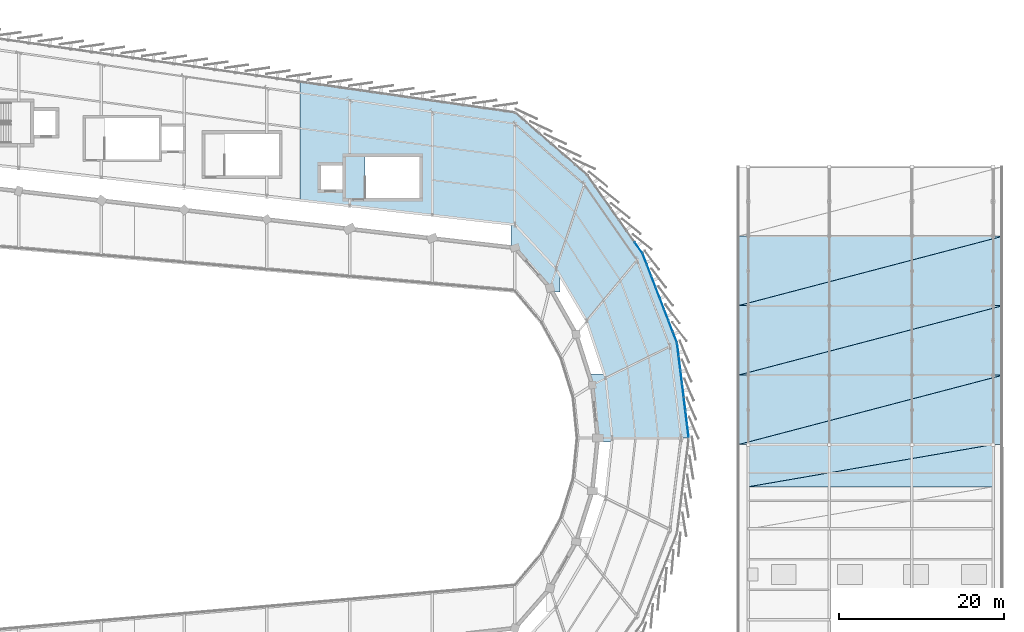
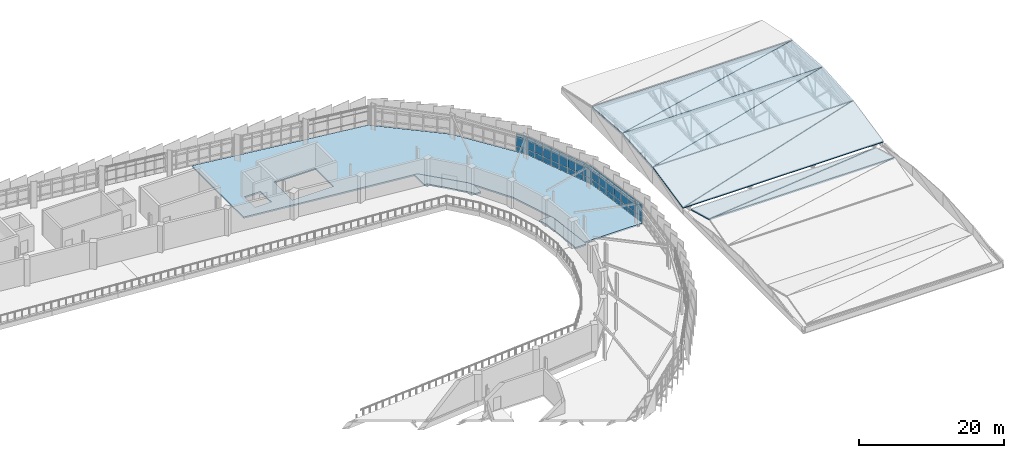
# One storey, part 71 of 87: 48 plates, 11 slabs, 3 elements without a shape of their own.
"""IFC4 building model written with IfcOpenShell, lengths in metres."""

from ifc_helpers import new_model, si_unit, direction, frame, origin, origin_2d, place, context, subcontext, project, spatial, polyline, rectangle, outline, extrude, material, layer, layer_set, type_object, element, aggregate, save


model = new_model("IFC4")

# Units and contexts
model_context = context("Model", 3, precision=1e-05, world=origin(), true_north=direction((0.0, 1.0)))
body_context = subcontext(model_context, "Body", "Model", "MODEL_VIEW")
ifc_project = project(units=[si_unit("LENGTHUNIT", "METRE"), si_unit("AREAUNIT", "SQUARE_METRE"), si_unit("VOLUMEUNIT", "CUBIC_METRE"), si_unit("PLANEANGLEUNIT", "RADIAN"), si_unit("MASSUNIT", "GRAM", prefix="KILO")], contexts=[model_context])

# Site, building, storey
site_placement = place(None, origin())
site = spatial("IfcSite", under=ifc_project, at=site_placement, CompositionType="ELEMENT")
building_placement = place(site_placement, origin())
building = spatial("IfcBuilding", under=site, at=building_placement, Name="Sohan Crest Arena", CompositionType="ELEMENT")
storey_placement = place(building_placement, frame((0.0, 0.0, 18.0)))
storey = spatial("IfcBuildingStorey", under=building, at=storey_placement, Name="L04", CompositionType="ELEMENT", Elevation=18.0)

# Curtain wall, plates
ifc_material_1 = material(Name="Thermally broken anodised aluminium", Category="aluminium")
ifc_layer_1 = layer(ifc_material_1, 0.179931640625, Name="Thermally broken anodised aluminium")
ifc_layer_set_1 = layer_set([ifc_layer_1], Name="Thermally broken anodised aluminium")
curtain_wall_type_1 = type_object("IfcCurtainWallType", Name="ARC-CW01", PredefinedType="NOTDEFINED", material=ifc_layer_set_1)
curtain_wall_1_placement = place(storey_placement, origin())
curtain_wall_1 = element("IfcCurtainWall", 1, at=curtain_wall_1_placement, inside=storey, type_object=curtain_wall_type_1, Name="Unitised curtain wall CW-136", PredefinedType="NOTDEFINED")
ifc_material_2 = material(Name="Low-E double-glazed insulated glass", Category="glass")
ifc_layer_2 = layer(ifc_material_2, 0.028076171875, Name="Low-E double-glazed insulated glass")
ifc_layer_set_2 = layer_set([ifc_layer_2], Name="Low-E double-glazed insulated glass")
plate_type_1 = type_object("IfcPlateType", Name="ARC-CNP01", PredefinedType="CURTAIN_PANEL", material=ifc_layer_set_2)
plate_1_placement = place(storey_placement, frame((187.331298828125, 90.185546875, 0.06005859375), z_axis=(0.0, 0.0, 1.0), x_axis=(-0.359632663337, 0.933093964969, 0.0)))
plate_1 = element("IfcPlate", 2, at=plate_1_placement, type_object=plate_type_1, Name="CW-136 panel 1.1", PredefinedType="CURTAIN_PANEL", context=body_context, shape_type="SweptSolid", body=[
    extrude(rectangle(XDim=1.35791015625, YDim=0.028076171875, at=origin_2d()), origin(), (0.0, 0.0, 1.0), 0.81005859375),
])
plate_2_placement = place(storey_placement, frame((187.331298828125, 90.185546875, 0.929931640625), z_axis=(0.0, 0.0, 1.0), x_axis=(-0.359632663337, 0.933093964969, 0.0)))
plate_2 = element("IfcPlate", 3, at=plate_2_placement, type_object=plate_type_1, Name="CW-136 panel 1.2", PredefinedType="CURTAIN_PANEL", context=body_context, shape_type="SweptSolid", body=[
    extrude(rectangle(XDim=1.35791015625, YDim=0.028076171875, at=origin_2d()), origin(), (0.0, 0.0, 1.0), 1.4599609375),
])
plate_3_placement = place(storey_placement, frame((187.331298828125, 90.185546875, 2.44970703125), z_axis=(0.0, 0.0, 1.0), x_axis=(-0.359632663337, 0.933093964969, 0.0)))
plate_3 = element("IfcPlate", 4, at=plate_3_placement, type_object=plate_type_1, Name="CW-136 panel 1.3", PredefinedType="CURTAIN_PANEL", context=body_context, shape_type="SweptSolid", body=[
    extrude(rectangle(XDim=1.35791015625, YDim=0.028076171875, at=origin_2d()), origin(), (0.0, 0.0, 1.0), 0.610107421875),
])
plate_4_placement = place(storey_placement, frame((186.81591796875, 91.522705078125, 0.06005859375), z_axis=(0.0, 0.0, 1.0), x_axis=(-0.359632663337, 0.933093964969, 0.0)))
plate_4 = element("IfcPlate", 5, at=plate_4_placement, type_object=plate_type_1, Name="CW-136 panel 2.1", PredefinedType="CURTAIN_PANEL", context=body_context, shape_type="SweptSolid", body=[
    extrude(rectangle(XDim=1.387939453125, YDim=0.028076171875, at=origin_2d()), origin(), (0.0, 0.0, 1.0), 0.81005859375),
])
plate_5_placement = place(storey_placement, frame((186.81591796875, 91.522705078125, 0.929931640625), z_axis=(0.0, 0.0, 1.0), x_axis=(-0.359632663337, 0.933093964969, 0.0)))
plate_5 = element("IfcPlate", 6, at=plate_5_placement, type_object=plate_type_1, Name="CW-136 panel 2.2", PredefinedType="CURTAIN_PANEL", context=body_context, shape_type="SweptSolid", body=[
    extrude(rectangle(XDim=1.387939453125, YDim=0.028076171875, at=origin_2d()), origin(), (0.0, 0.0, 1.0), 1.4599609375),
])
plate_6_placement = place(storey_placement, frame((186.81591796875, 91.522705078125, 2.44970703125), z_axis=(0.0, 0.0, 1.0), x_axis=(-0.359632663337, 0.933093964969, 0.0)))
plate_6 = element("IfcPlate", 7, at=plate_6_placement, type_object=plate_type_1, Name="CW-136 panel 2.3", PredefinedType="CURTAIN_PANEL", context=body_context, shape_type="SweptSolid", body=[
    extrude(rectangle(XDim=1.387939453125, YDim=0.028076171875, at=origin_2d()), origin(), (0.0, 0.0, 1.0), 0.610107421875),
])
plate_7_placement = place(storey_placement, frame((186.295166015625, 92.873779296875, 0.06005859375), z_axis=(0.0, 0.0, 1.0), x_axis=(-0.359632663337, 0.933093964969, 0.0)))
plate_7 = element("IfcPlate", 8, at=plate_7_placement, type_object=plate_type_1, Name="CW-136 panel 3.1", PredefinedType="CURTAIN_PANEL", context=body_context, shape_type="SweptSolid", body=[
    extrude(rectangle(XDim=1.387939453125, YDim=0.028076171875, at=origin_2d()), origin(), (0.0, 0.0, 1.0), 0.81005859375),
])
plate_8_placement = place(storey_placement, frame((186.295166015625, 92.873779296875, 0.929931640625), z_axis=(0.0, 0.0, 1.0), x_axis=(-0.359632663337, 0.933093964969, 0.0)))
plate_8 = element("IfcPlate", 9, at=plate_8_placement, type_object=plate_type_1, Name="CW-136 panel 3.2", PredefinedType="CURTAIN_PANEL", context=body_context, shape_type="SweptSolid", body=[
    extrude(rectangle(XDim=1.387939453125, YDim=0.028076171875, at=origin_2d()), origin(), (0.0, 0.0, 1.0), 1.4599609375),
])
plate_9_placement = place(storey_placement, frame((186.295166015625, 92.873779296875, 2.44970703125), z_axis=(0.0, 0.0, 1.0), x_axis=(-0.359632663337, 0.933093964969, 0.0)))
plate_9 = element("IfcPlate", 10, at=plate_9_placement, type_object=plate_type_1, Name="CW-136 panel 3.3", PredefinedType="CURTAIN_PANEL", context=body_context, shape_type="SweptSolid", body=[
    extrude(rectangle(XDim=1.387939453125, YDim=0.028076171875, at=origin_2d()), origin(), (0.0, 0.0, 1.0), 0.610107421875),
])
plate_10_placement = place(storey_placement, frame((185.7744140625, 94.224853515625, 0.06005859375), z_axis=(0.0, 0.0, 1.0), x_axis=(-0.359632663337, 0.933093964969, 0.0)))
plate_10 = element("IfcPlate", 11, at=plate_10_placement, type_object=plate_type_1, Name="CW-136 panel 4.1", PredefinedType="CURTAIN_PANEL", context=body_context, shape_type="SweptSolid", body=[
    extrude(rectangle(XDim=1.387939453125, YDim=0.028076171875, at=origin_2d()), origin(), (0.0, 0.0, 1.0), 0.81005859375),
])
plate_11_placement = place(storey_placement, frame((185.7744140625, 94.224853515625, 0.929931640625), z_axis=(0.0, 0.0, 1.0), x_axis=(-0.359632663337, 0.933093964969, 0.0)))
plate_11 = element("IfcPlate", 12, at=plate_11_placement, type_object=plate_type_1, Name="CW-136 panel 4.2", PredefinedType="CURTAIN_PANEL", context=body_context, shape_type="SweptSolid", body=[
    extrude(rectangle(XDim=1.387939453125, YDim=0.028076171875, at=origin_2d()), origin(), (0.0, 0.0, 1.0), 1.4599609375),
])
plate_12_placement = place(storey_placement, frame((185.7744140625, 94.224853515625, 2.44970703125), z_axis=(0.0, 0.0, 1.0), x_axis=(-0.359632663337, 0.933093964969, 0.0)))
plate_12 = element("IfcPlate", 13, at=plate_12_placement, type_object=plate_type_1, Name="CW-136 panel 4.3", PredefinedType="CURTAIN_PANEL", context=body_context, shape_type="SweptSolid", body=[
    extrude(rectangle(XDim=1.387939453125, YDim=0.028076171875, at=origin_2d()), origin(), (0.0, 0.0, 1.0), 0.610107421875),
])
plate_13_placement = place(storey_placement, frame((185.253662109375, 95.576171875, 0.06005859375), z_axis=(0.0, 0.0, 1.0), x_axis=(-0.359632663337, 0.933093964969, 0.0)))
plate_13 = element("IfcPlate", 14, at=plate_13_placement, type_object=plate_type_1, Name="CW-136 panel 5.1", PredefinedType="CURTAIN_PANEL", context=body_context, shape_type="SweptSolid", body=[
    extrude(rectangle(XDim=1.387939453125, YDim=0.028076171875, at=origin_2d()), origin(), (0.0, 0.0, 1.0), 0.81005859375),
])
plate_14_placement = place(storey_placement, frame((185.253662109375, 95.576171875, 0.929931640625), z_axis=(0.0, 0.0, 1.0), x_axis=(-0.359632663337, 0.933093964969, 0.0)))
plate_14 = element("IfcPlate", 15, at=plate_14_placement, type_object=plate_type_1, Name="CW-136 panel 5.2", PredefinedType="CURTAIN_PANEL", context=body_context, shape_type="SweptSolid", body=[
    extrude(rectangle(XDim=1.387939453125, YDim=0.028076171875, at=origin_2d()), origin(), (0.0, 0.0, 1.0), 1.4599609375),
])
plate_15_placement = place(storey_placement, frame((185.253662109375, 95.576171875, 2.44970703125), z_axis=(0.0, 0.0, 1.0), x_axis=(-0.359632663337, 0.933093964969, 0.0)))
plate_15 = element("IfcPlate", 16, at=plate_15_placement, type_object=plate_type_1, Name="CW-136 panel 5.3", PredefinedType="CURTAIN_PANEL", context=body_context, shape_type="SweptSolid", body=[
    extrude(rectangle(XDim=1.387939453125, YDim=0.028076171875, at=origin_2d()), origin(), (0.0, 0.0, 1.0), 0.610107421875),
])
plate_16_placement = place(storey_placement, frame((184.73291015625, 96.92724609375, 0.06005859375), z_axis=(0.0, 0.0, 1.0), x_axis=(-0.359632663337, 0.933093964969, 0.0)))
plate_16 = element("IfcPlate", 17, at=plate_16_placement, type_object=plate_type_1, Name="CW-136 panel 6.1", PredefinedType="CURTAIN_PANEL", context=body_context, shape_type="SweptSolid", body=[
    extrude(rectangle(XDim=1.387939453125, YDim=0.028076171875, at=origin_2d()), origin(), (0.0, 0.0, 1.0), 0.81005859375),
])
plate_17_placement = place(storey_placement, frame((184.73291015625, 96.92724609375, 0.929931640625), z_axis=(0.0, 0.0, 1.0), x_axis=(-0.359632663337, 0.933093964969, 0.0)))
plate_17 = element("IfcPlate", 18, at=plate_17_placement, type_object=plate_type_1, Name="CW-136 panel 6.2", PredefinedType="CURTAIN_PANEL", context=body_context, shape_type="SweptSolid", body=[
    extrude(rectangle(XDim=1.387939453125, YDim=0.028076171875, at=origin_2d()), origin(), (0.0, 0.0, 1.0), 1.4599609375),
])
plate_18_placement = place(storey_placement, frame((184.73291015625, 96.92724609375, 2.44970703125), z_axis=(0.0, 0.0, 1.0), x_axis=(-0.359632663337, 0.933093964969, 0.0)))
plate_18 = element("IfcPlate", 19, at=plate_18_placement, type_object=plate_type_1, Name="CW-136 panel 6.3", PredefinedType="CURTAIN_PANEL", context=body_context, shape_type="SweptSolid", body=[
    extrude(rectangle(XDim=1.387939453125, YDim=0.028076171875, at=origin_2d()), origin(), (0.0, 0.0, 1.0), 0.610107421875),
])
plate_19_placement = place(storey_placement, frame((184.212158203125, 98.2783203125, 0.06005859375), z_axis=(0.0, 0.0, 1.0), x_axis=(-0.359632663337, 0.933093964969, 0.0)))
plate_19 = element("IfcPlate", 20, at=plate_19_placement, type_object=plate_type_1, Name="CW-136 panel 7.1", PredefinedType="CURTAIN_PANEL", context=body_context, shape_type="SweptSolid", body=[
    extrude(rectangle(XDim=1.387939453125, YDim=0.028076171875, at=origin_2d()), origin(), (0.0, 0.0, 1.0), 0.81005859375),
])
plate_20_placement = place(storey_placement, frame((184.212158203125, 98.2783203125, 0.929931640625), z_axis=(0.0, 0.0, 1.0), x_axis=(-0.359632663337, 0.933093964969, 0.0)))
plate_20 = element("IfcPlate", 21, at=plate_20_placement, type_object=plate_type_1, Name="CW-136 panel 7.2", PredefinedType="CURTAIN_PANEL", context=body_context, shape_type="SweptSolid", body=[
    extrude(rectangle(XDim=1.387939453125, YDim=0.028076171875, at=origin_2d()), origin(), (0.0, 0.0, 1.0), 1.4599609375),
])
plate_21_placement = place(storey_placement, frame((184.212158203125, 98.2783203125, 2.44970703125), z_axis=(0.0, 0.0, 1.0), x_axis=(-0.359632663337, 0.933093964969, 0.0)))
plate_21 = element("IfcPlate", 22, at=plate_21_placement, type_object=plate_type_1, Name="CW-136 panel 7.3", PredefinedType="CURTAIN_PANEL", context=body_context, shape_type="SweptSolid", body=[
    extrude(rectangle(XDim=1.387939453125, YDim=0.028076171875, at=origin_2d()), origin(), (0.0, 0.0, 1.0), 0.610107421875),
])
plate_22_placement = place(storey_placement, frame((183.69677734375, 99.615478515625, 0.06005859375), z_axis=(0.0, 0.0, 1.0), x_axis=(-0.359632663337, 0.933093964969, 0.0)))
plate_22 = element("IfcPlate", 23, at=plate_22_placement, type_object=plate_type_1, Name="CW-136 panel 8.1", PredefinedType="CURTAIN_PANEL", context=body_context, shape_type="SweptSolid", body=[
    extrude(rectangle(XDim=1.35791015625, YDim=0.028076171875, at=origin_2d()), origin(), (0.0, 0.0, 1.0), 0.81005859375),
])
plate_23_placement = place(storey_placement, frame((183.69677734375, 99.615478515625, 0.929931640625), z_axis=(0.0, 0.0, 1.0), x_axis=(-0.359632663337, 0.933093964969, 0.0)))
plate_23 = element("IfcPlate", 24, at=plate_23_placement, type_object=plate_type_1, Name="CW-136 panel 8.2", PredefinedType="CURTAIN_PANEL", context=body_context, shape_type="SweptSolid", body=[
    extrude(rectangle(XDim=1.35791015625, YDim=0.028076171875, at=origin_2d()), origin(), (0.0, 0.0, 1.0), 1.4599609375),
])
plate_24_placement = place(storey_placement, frame((183.69677734375, 99.615478515625, 2.44970703125), z_axis=(0.0, 0.0, 1.0), x_axis=(-0.359632663337, 0.933093964969, 0.0)))
plate_24 = element("IfcPlate", 25, at=plate_24_placement, type_object=plate_type_1, Name="CW-136 panel 8.3", PredefinedType="CURTAIN_PANEL", context=body_context, shape_type="SweptSolid", body=[
    extrude(rectangle(XDim=1.35791015625, YDim=0.028076171875, at=origin_2d()), origin(), (0.0, 0.0, 1.0), 0.610107421875),
])
aggregate(curtain_wall_1, [plate_1, plate_2, plate_3, plate_4, plate_5, plate_6, plate_7, plate_8, plate_9, plate_10, plate_11, plate_12, plate_13, plate_14, plate_15, plate_16, plate_17, plate_18, plate_19, plate_20, plate_21, plate_22, plate_23, plate_24])

ifc_layer_3 = layer(ifc_material_1, 0.199951171875, Name="Thermally broken anodised aluminium")
ifc_layer_set_3 = layer_set([ifc_layer_3], Name="Thermally broken anodised aluminium")
curtain_wall_type_2 = type_object("IfcCurtainWallType", Name="ARC-CW02", PredefinedType="NOTDEFINED", material=ifc_layer_set_3)
curtain_wall_2_placement = place(storey_placement, origin())
curtain_wall_2 = element("IfcCurtainWall", 26, at=curtain_wall_2_placement, inside=storey, type_object=curtain_wall_type_2, Name="Unitised curtain wall CW-137", PredefinedType="NOTDEFINED")
ifc_layer_4 = layer(ifc_material_2, 0.031982421875, Name="Low-E double-glazed insulated glass")
ifc_layer_set_4 = layer_set([ifc_layer_4], Name="Low-E double-glazed insulated glass")
plate_type_2 = type_object("IfcPlateType", Name="ARC-CNP02", PredefinedType="CURTAIN_PANEL", material=ifc_layer_set_4)
plate_25_placement = place(storey_placement, frame((182.945556640625, 100.994873046875, 0.06494140625), z_axis=(0.0, 0.0, 1.0), x_axis=(-0.575424969546, 0.817854574128, 0.0)))
plate_25 = element("IfcPlate", 27, at=plate_25_placement, type_object=plate_type_2, Name="CW-137 panel 1.1", PredefinedType="CURTAIN_PANEL", context=body_context, shape_type="SweptSolid", body=[
    extrude(rectangle(XDim=1.55712890625, YDim=0.031982421875, at=origin_2d()), origin(), (0.0, 0.0, 1.0), 0.802490234375),
])
plate_26_placement = place(storey_placement, frame((182.945556640625, 100.994873046875, 0.932373046875), z_axis=(0.0, 0.0, 1.0), x_axis=(-0.575424969546, 0.817854574128, 0.0)))
plate_26 = element("IfcPlate", 28, at=plate_26_placement, type_object=plate_type_2, Name="CW-137 panel 1.2", PredefinedType="CURTAIN_PANEL", context=body_context, shape_type="SweptSolid", body=[
    extrude(rectangle(XDim=1.55712890625, YDim=0.031982421875, at=origin_2d()), origin(), (0.0, 0.0, 1.0), 1.455078125),
])
plate_27_placement = place(storey_placement, frame((182.945556640625, 100.994873046875, 2.452392578125), z_axis=(0.0, 0.0, 1.0), x_axis=(-0.575424969546, 0.817854574128, 0.0)))
plate_27 = element("IfcPlate", 29, at=plate_27_placement, type_object=plate_type_2, Name="CW-137 panel 1.3", PredefinedType="CURTAIN_PANEL", context=body_context, shape_type="SweptSolid", body=[
    extrude(rectangle(XDim=1.55712890625, YDim=0.031982421875, at=origin_2d()), origin(), (0.0, 0.0, 1.0), 0.6025390625),
])
aggregate(curtain_wall_2, [plate_25, plate_26, plate_27])

ifc_layer_5 = layer(ifc_material_1, 0.2099609375, Name="Thermally broken anodised aluminium")
ifc_layer_set_5 = layer_set([ifc_layer_5], Name="Thermally broken anodised aluminium")
curtain_wall_type_3 = type_object("IfcCurtainWallType", Name="ARC-CW06", PredefinedType="NOTDEFINED", material=ifc_layer_set_5)
curtain_wall_3_placement = place(storey_placement, origin())
curtain_wall_3 = element("IfcCurtainWall", 30, at=curtain_wall_3_placement, inside=storey, type_object=curtain_wall_type_3, Name="Unitised curtain wall CW-135", PredefinedType="NOTDEFINED")
ifc_material_3 = material(Name="Insulated polychrome ceramic spandrel panel", Category="masonry")
ifc_layer_6 = layer(ifc_material_3, 0.0419921875, Name="Insulated polychrome ceramic spandrel panel")
ifc_layer_set_6 = layer_set([ifc_layer_6], Name="Insulated polychrome ceramic spandrel panel")
plate_type_3 = type_object("IfcPlateType", Name="ARC-CNP04", PredefinedType="CURTAIN_PANEL", material=ifc_layer_set_6)
plate_28_placement = place(storey_placement, frame((188.910400390625, 78.83984375, 0.070068359375), z_axis=(0.0, 0.0, 1.0), x_axis=(-0.122334448372, 0.992488933309, 0.0)))
plate_28 = element("IfcPlate", 31, at=plate_28_placement, type_object=plate_type_3, Name="CW-135 panel 1.1", PredefinedType="CURTAIN_PANEL", context=body_context, shape_type="SweptSolid", body=[
    extrude(rectangle(XDim=1.542236328125, YDim=0.0419921875, at=origin_2d()), origin(), (0.0, 0.0, 1.0), 0.794921875),
])
plate_29_placement = place(storey_placement, frame((188.910400390625, 78.83984375, 0.93505859375), z_axis=(0.0, 0.0, 1.0), x_axis=(-0.122334448372, 0.992488933309, 0.0)))
plate_29 = element("IfcPlate", 32, at=plate_29_placement, type_object=plate_type_3, Name="CW-135 panel 1.2", PredefinedType="CURTAIN_PANEL", context=body_context, shape_type="SweptSolid", body=[
    extrude(rectangle(XDim=1.542236328125, YDim=0.0419921875, at=origin_2d()), origin(), (0.0, 0.0, 1.0), 1.449951171875),
])
plate_30_placement = place(storey_placement, frame((188.910400390625, 78.83984375, 2.455078125), z_axis=(0.0, 0.0, 1.0), x_axis=(-0.122334448372, 0.992488933309, 0.0)))
plate_30 = element("IfcPlate", 33, at=plate_30_placement, type_object=plate_type_3, Name="CW-135 panel 1.3", PredefinedType="CURTAIN_PANEL", context=body_context, shape_type="SweptSolid", body=[
    extrude(rectangle(XDim=1.542236328125, YDim=0.0419921875, at=origin_2d()), origin(), (0.0, 0.0, 1.0), 0.594970703125),
])
plate_31_placement = place(storey_placement, frame((188.71044921875, 80.46337890625, 0.070068359375), z_axis=(0.0, 0.0, 1.0), x_axis=(-0.122334448372, 0.992488933309, 0.0)))
plate_31 = element("IfcPlate", 34, at=plate_31_placement, type_object=plate_type_3, Name="CW-135 panel 2.1", PredefinedType="CURTAIN_PANEL", context=body_context, shape_type="SweptSolid", body=[
    extrude(rectangle(XDim=1.579833984375, YDim=0.0419921875, at=origin_2d()), origin(), (0.0, 0.0, 1.0), 0.794921875),
])
plate_32_placement = place(storey_placement, frame((188.71044921875, 80.46337890625, 0.93505859375), z_axis=(0.0, 0.0, 1.0), x_axis=(-0.122334448372, 0.992488933309, 0.0)))
plate_32 = element("IfcPlate", 35, at=plate_32_placement, type_object=plate_type_3, Name="CW-135 panel 2.2", PredefinedType="CURTAIN_PANEL", context=body_context, shape_type="SweptSolid", body=[
    extrude(rectangle(XDim=1.579833984375, YDim=0.0419921875, at=origin_2d()), origin(), (0.0, 0.0, 1.0), 1.449951171875),
])
plate_33_placement = place(storey_placement, frame((188.71044921875, 80.46337890625, 2.455078125), z_axis=(0.0, 0.0, 1.0), x_axis=(-0.122334448372, 0.992488933309, 0.0)))
plate_33 = element("IfcPlate", 36, at=plate_33_placement, type_object=plate_type_3, Name="CW-135 panel 2.3", PredefinedType="CURTAIN_PANEL", context=body_context, shape_type="SweptSolid", body=[
    extrude(rectangle(XDim=1.579833984375, YDim=0.0419921875, at=origin_2d()), origin(), (0.0, 0.0, 1.0), 0.594970703125),
])
plate_34_placement = place(storey_placement, frame((188.5078125, 82.105712890625, 0.070068359375), z_axis=(0.0, 0.0, 1.0), x_axis=(-0.122334448372, 0.992488933309, 0.0)))
plate_34 = element("IfcPlate", 37, at=plate_34_placement, type_object=plate_type_3, Name="CW-135 panel 3.1", PredefinedType="CURTAIN_PANEL", context=body_context, shape_type="SweptSolid", body=[
    extrude(rectangle(XDim=1.579833984375, YDim=0.0419921875, at=origin_2d()), origin(), (0.0, 0.0, 1.0), 0.794921875),
])
plate_35_placement = place(storey_placement, frame((188.5078125, 82.105712890625, 0.93505859375), z_axis=(0.0, 0.0, 1.0), x_axis=(-0.122334448372, 0.992488933309, 0.0)))
plate_35 = element("IfcPlate", 38, at=plate_35_placement, type_object=plate_type_3, Name="CW-135 panel 3.2", PredefinedType="CURTAIN_PANEL", context=body_context, shape_type="SweptSolid", body=[
    extrude(rectangle(XDim=1.579833984375, YDim=0.0419921875, at=origin_2d()), origin(), (0.0, 0.0, 1.0), 1.449951171875),
])
plate_36_placement = place(storey_placement, frame((188.5078125, 82.105712890625, 2.455078125), z_axis=(0.0, 0.0, 1.0), x_axis=(-0.122334448372, 0.992488933309, 0.0)))
plate_36 = element("IfcPlate", 39, at=plate_36_placement, type_object=plate_type_3, Name="CW-135 panel 3.3", PredefinedType="CURTAIN_PANEL", context=body_context, shape_type="SweptSolid", body=[
    extrude(rectangle(XDim=1.579833984375, YDim=0.0419921875, at=origin_2d()), origin(), (0.0, 0.0, 1.0), 0.594970703125),
])
plate_37_placement = place(storey_placement, frame((188.305419921875, 83.748046875, 0.070068359375), z_axis=(0.0, 0.0, 1.0), x_axis=(-0.122334448372, 0.992488933309, 0.0)))
plate_37 = element("IfcPlate", 40, at=plate_37_placement, type_object=plate_type_3, Name="CW-135 panel 4.1", PredefinedType="CURTAIN_PANEL", context=body_context, shape_type="SweptSolid", body=[
    extrude(rectangle(XDim=1.579833984375, YDim=0.0419921875, at=origin_2d()), origin(), (0.0, 0.0, 1.0), 0.794921875),
])
plate_38_placement = place(storey_placement, frame((188.305419921875, 83.748046875, 0.93505859375), z_axis=(0.0, 0.0, 1.0), x_axis=(-0.122334448372, 0.992488933309, 0.0)))
plate_38 = element("IfcPlate", 41, at=plate_38_placement, type_object=plate_type_3, Name="CW-135 panel 4.2", PredefinedType="CURTAIN_PANEL", context=body_context, shape_type="SweptSolid", body=[
    extrude(rectangle(XDim=1.579833984375, YDim=0.0419921875, at=origin_2d()), origin(), (0.0, 0.0, 1.0), 1.449951171875),
])
plate_39_placement = place(storey_placement, frame((188.305419921875, 83.748046875, 2.455078125), z_axis=(0.0, 0.0, 1.0), x_axis=(-0.122334448372, 0.992488933309, 0.0)))
plate_39 = element("IfcPlate", 42, at=plate_39_placement, type_object=plate_type_3, Name="CW-135 panel 4.3", PredefinedType="CURTAIN_PANEL", context=body_context, shape_type="SweptSolid", body=[
    extrude(rectangle(XDim=1.579833984375, YDim=0.0419921875, at=origin_2d()), origin(), (0.0, 0.0, 1.0), 0.594970703125),
])
plate_40_placement = place(storey_placement, frame((188.10302734375, 85.390380859375, 0.070068359375), z_axis=(0.0, 0.0, 1.0), x_axis=(-0.122334448372, 0.992488933309, 0.0)))
plate_40 = element("IfcPlate", 43, at=plate_40_placement, type_object=plate_type_3, Name="CW-135 panel 5.1", PredefinedType="CURTAIN_PANEL", context=body_context, shape_type="SweptSolid", body=[
    extrude(rectangle(XDim=1.579833984375, YDim=0.0419921875, at=origin_2d()), origin(), (0.0, 0.0, 1.0), 0.794921875),
])
plate_41_placement = place(storey_placement, frame((188.10302734375, 85.390380859375, 0.93505859375), z_axis=(0.0, 0.0, 1.0), x_axis=(-0.122334448372, 0.992488933309, 0.0)))
plate_41 = element("IfcPlate", 44, at=plate_41_placement, type_object=plate_type_3, Name="CW-135 panel 5.2", PredefinedType="CURTAIN_PANEL", context=body_context, shape_type="SweptSolid", body=[
    extrude(rectangle(XDim=1.579833984375, YDim=0.0419921875, at=origin_2d()), origin(), (0.0, 0.0, 1.0), 1.449951171875),
])
plate_42_placement = place(storey_placement, frame((188.10302734375, 85.390380859375, 2.455078125), z_axis=(0.0, 0.0, 1.0), x_axis=(-0.122334448372, 0.992488933309, 0.0)))
plate_42 = element("IfcPlate", 45, at=plate_42_placement, type_object=plate_type_3, Name="CW-135 panel 5.3", PredefinedType="CURTAIN_PANEL", context=body_context, shape_type="SweptSolid", body=[
    extrude(rectangle(XDim=1.579833984375, YDim=0.0419921875, at=origin_2d()), origin(), (0.0, 0.0, 1.0), 0.594970703125),
])
plate_43_placement = place(storey_placement, frame((187.900634765625, 87.032470703125, 0.070068359375), z_axis=(0.0, 0.0, 1.0), x_axis=(-0.122334448372, 0.992488933309, 0.0)))
plate_43 = element("IfcPlate", 46, at=plate_43_placement, type_object=plate_type_3, Name="CW-135 panel 6.1", PredefinedType="CURTAIN_PANEL", context=body_context, shape_type="SweptSolid", body=[
    extrude(rectangle(XDim=1.579833984375, YDim=0.0419921875, at=origin_2d()), origin(), (0.0, 0.0, 1.0), 0.794921875),
])
plate_44_placement = place(storey_placement, frame((187.900634765625, 87.032470703125, 0.93505859375), z_axis=(0.0, 0.0, 1.0), x_axis=(-0.122334448372, 0.992488933309, 0.0)))
plate_44 = element("IfcPlate", 47, at=plate_44_placement, type_object=plate_type_3, Name="CW-135 panel 6.2", PredefinedType="CURTAIN_PANEL", context=body_context, shape_type="SweptSolid", body=[
    extrude(rectangle(XDim=1.579833984375, YDim=0.0419921875, at=origin_2d()), origin(), (0.0, 0.0, 1.0), 1.449951171875),
])
plate_45_placement = place(storey_placement, frame((187.900634765625, 87.032470703125, 2.455078125), z_axis=(0.0, 0.0, 1.0), x_axis=(-0.122334448372, 0.992488933309, 0.0)))
plate_45 = element("IfcPlate", 48, at=plate_45_placement, type_object=plate_type_3, Name="CW-135 panel 6.3", PredefinedType="CURTAIN_PANEL", context=body_context, shape_type="SweptSolid", body=[
    extrude(rectangle(XDim=1.579833984375, YDim=0.0419921875, at=origin_2d()), origin(), (0.0, 0.0, 1.0), 0.594970703125),
])
plate_46_placement = place(storey_placement, frame((187.700439453125, 88.65625, 0.070068359375), z_axis=(0.0, 0.0, 1.0), x_axis=(-0.122334448372, 0.992488933309, 0.0)))
plate_46 = element("IfcPlate", 49, at=plate_46_placement, type_object=plate_type_3, Name="CW-135 panel 7.1", PredefinedType="CURTAIN_PANEL", context=body_context, shape_type="SweptSolid", body=[
    extrude(rectangle(XDim=1.542236328125, YDim=0.0419921875, at=origin_2d()), origin(), (0.0, 0.0, 1.0), 0.794921875),
])
plate_47_placement = place(storey_placement, frame((187.700439453125, 88.65625, 0.93505859375), z_axis=(0.0, 0.0, 1.0), x_axis=(-0.122334448372, 0.992488933309, 0.0)))
plate_47 = element("IfcPlate", 50, at=plate_47_placement, type_object=plate_type_3, Name="CW-135 panel 7.2", PredefinedType="CURTAIN_PANEL", context=body_context, shape_type="SweptSolid", body=[
    extrude(rectangle(XDim=1.542236328125, YDim=0.0419921875, at=origin_2d()), origin(), (0.0, 0.0, 1.0), 1.449951171875),
])
plate_48_placement = place(storey_placement, frame((187.700439453125, 88.65625, 2.455078125), z_axis=(0.0, 0.0, 1.0), x_axis=(-0.122334448372, 0.992488933309, 0.0)))
plate_48 = element("IfcPlate", 51, at=plate_48_placement, type_object=plate_type_3, Name="CW-135 panel 7.3", PredefinedType="CURTAIN_PANEL", context=body_context, shape_type="SweptSolid", body=[
    extrude(rectangle(XDim=1.542236328125, YDim=0.0419921875, at=origin_2d()), origin(), (0.0, 0.0, 1.0), 0.594970703125),
])
aggregate(curtain_wall_3, [plate_28, plate_29, plate_30, plate_31, plate_32, plate_33, plate_34, plate_35, plate_36, plate_37, plate_38, plate_39, plate_40, plate_41, plate_42, plate_43, plate_44, plate_45, plate_46, plate_47, plate_48])

# Slabs
ifc_material_4 = material(Name="Concrete C40/50", Category="concrete")
ifc_layer_7 = layer(ifc_material_4, 0.25, Name="Concrete C40/50")
ifc_layer_set_7 = layer_set([ifc_layer_7], Name="Concrete C40/50")
slab_type_1 = type_object("IfcSlabType", Name="SL-FLR3", PredefinedType="FLOOR", material=ifc_layer_set_7)
slab_1_placement = place(storey_placement, frame((0.0, 0.0, -0.25)))
element("IfcSlab", 52, at=slab_1_placement, inside=storey, type_object=slab_type_1, Name="Concourse ring L04 sector 5 SL-L04-V2S5", PredefinedType="FLOOR", context=body_context, shape_type="SweptSolid", body=[
    extrude(outline(polyline([(142.0, 121.06396484375), (168.0, 117.35009765625), (176.76611328125, 109.778076171875), (183.430908203125, 100.304931640625), (187.596923828125, 89.49609375), (189.013916015625, 78.0), (179.75, 78.0), (178.971923828125, 85.251953125), (176.674072265625, 92.175048828125), (172.9609375, 98.452880859375), (168.0, 103.800048828125), (142.0, 106.77197265625), (142.0, 121.06396484375)]), holes=[polyline([(149.8701171875, 107.0), (156.449951171875, 107.0), (156.449951171875, 112.0), (149.8701171875, 112.0), (149.8701171875, 107.0)]), polyline([(144.550048828125, 110.949951171875), (144.550048828125, 108.050048828125), (147.14990234375, 108.050048828125), (147.14990234375, 110.949951171875), (144.550048828125, 110.949951171875)])]), origin(), (0.0, 0.0, 1.0), 0.25),
])
slab_2_placement = place(storey_placement, frame((0.0, 0.0, -0.25)))
element("IfcSlab", 53, at=slab_2_placement, inside=storey, type_object=slab_type_1, Name="Seismic joint threshold slab L04 SL-TH-L04-23", PredefinedType="FLOOR", context=body_context, shape_type="SweptSolid", body=[
    extrude(outline(polyline([(178.971923828125, 85.251953125), (179.75, 78.0), (179.696044921875, 77.5), (177.970947265625, 77.5), (178.02294921875, 78.0), (177.363037109375, 84.406982421875), (176.93505859375, 85.751953125), (178.805908203125, 85.751953125), (178.971923828125, 85.251953125)])), origin(), (0.0, 0.0, 1.0), 0.25),
])
slab_3_placement = place(storey_placement, frame((0.0, 0.0, -0.25)))
element("IfcSlab", 54, at=slab_3_placement, inside=storey, type_object=slab_type_1, Name="Seismic joint threshold slab L04 SL-TH-L04-26", PredefinedType="FLOOR", context=body_context, shape_type="SweptSolid", body=[
    extrude(outline(polyline([(168.0, 103.800048828125), (172.9609375, 98.452880859375), (173.4609375, 97.60791015625), (173.4609375, 95.654052734375), (172.52490234375, 95.654052734375), (172.242919921875, 96.154052734375), (168.0, 101.0), (167.5, 101.056884765625), (167.5, 103.85693359375), (168.0, 103.800048828125)])), origin(), (0.0, 0.0, 1.0), 0.25),
])
ifc_layer_8 = layer(ifc_material_4, 0.175048828125, Name="Concrete C40/50")
ifc_layer_set_8 = layer_set([ifc_layer_8], Name="Concrete C40/50")
slab_type_2 = type_object("IfcSlabType", Name="SL-RF01", PredefinedType="ROOF", material=ifc_layer_set_8)
slab_4_placement = place(storey_placement, frame((195.04296875, 77.2060546875, 0.926025390625), z_axis=(0.0, -0.209939374799, 0.977714405596), x_axis=(1.0, 0.0, 0.0)))
element("IfcSlab", 55, at=slab_4_placement, inside=storey, type_object=slab_type_2, Name="Sloped roof deck panel RF-SL-117", PredefinedType="ROOF", context=body_context, shape_type="SweptSolid", body=[
    extrude(outline(polyline([(0.0, 0.0), (31.93603515625, 0.0), (31.93603515625, 8.5741363660465), (0.0, 0.0)])), origin(), (0.0, 0.0, -1.0), 0.175048828125),
])
slab_5_placement = place(storey_placement, frame((195.02099609375, 77.2109375, 0.926025390625), z_axis=(0.0, -0.209939374799, 0.977714405596), x_axis=(0.96579792604, 0.253517341078, 0.054436420065)))
element("IfcSlab", 56, at=slab_5_placement, inside=storey, type_object=slab_type_2, Name="Sloped roof deck panel RF-SL-118", PredefinedType="ROOF", context=body_context, shape_type="SweptSolid", body=[
    extrude(outline(polyline([(0.0, 0.0), (33.06699496363099, 1.3322676295501878e-15), (2.223238443784145, 8.280883119911872), (0.0, 0.0)])), origin(), (0.0, 0.0, -1.0), 0.175048828125),
])
slab_6_placement = place(storey_placement, frame((195.04296875, 85.60595703125, 2.72607421875), z_axis=(0.0, -0.071372976838, 0.997449697066), x_axis=(1.0, 0.0, 0.0)))
element("IfcSlab", 57, at=slab_6_placement, inside=storey, type_object=slab_type_2, Name="Sloped roof deck panel RF-SL-119", PredefinedType="ROOF", context=body_context, shape_type="SweptSolid", body=[
    extrude(outline(polyline([(0.0, 0.0), (31.93603515625, 0.0), (31.93603515625, 8.404490637756377), (0.0, 0.0)])), origin(), (0.0, 0.0, -1.0), 0.175048828125),
])
slab_7_placement = place(storey_placement, frame((195.02099609375, 85.611083984375, 2.72607421875), z_axis=(0.0, -0.071375044912, 0.997449549082), x_axis=(0.967074333491, 0.253844998966, 0.018164525934)))
element("IfcSlab", 58, at=slab_7_placement, inside=storey, type_object=slab_type_2, Name="Sloped roof deck panel RF-SL-120", PredefinedType="ROOF", context=body_context, shape_type="SweptSolid", body=[
    extrude(outline(polyline([(0.0, 0.0), (33.02335099821943, -2.2898349882893854e-16), (2.1388310851364625, 8.127531681858763), (0.0, 0.0)])), origin(), (0.0, 0.0, -1.0), 0.175048828125),
])
slab_8_placement = place(storey_placement, frame((195.04296875, 94.006103515625, 3.325927734375), z_axis=(0.0, 0.071375044912, 0.997449549082), x_axis=(1.0, 0.0, 0.0)))
element("IfcSlab", 59, at=slab_8_placement, inside=storey, type_object=slab_type_2, Name="Sloped roof deck panel RF-SL-121", PredefinedType="ROOF", context=body_context, shape_type="SweptSolid", body=[
    extrude(outline(polyline([(0.0, 0.0), (31.93603515625, 0.0), (31.93603515625, 8.404247119781994), (0.0, 0.0)])), origin(), (0.0, 0.0, -1.0), 0.175048828125),
])
slab_9_placement = place(storey_placement, frame((195.02099609375, 94.010986328125, 3.325927734375), z_axis=(0.0, 0.071372976838, 0.997449697066), x_axis=(0.967072518592, 0.253851915533, -0.018164491845)))
element("IfcSlab", 60, at=slab_9_placement, inside=storey, type_object=slab_type_2, Name="Sloped roof deck panel RF-SL-122", PredefinedType="ROOF", context=body_context, shape_type="SweptSolid", body=[
    extrude(outline(polyline([(0.0, 0.0), (33.023412972940434, 1.6653345369377348e-16), (2.138951020538479, 8.127751928539157), (0.0, 0.0)])), origin(), (0.0, 0.0, -1.0), 0.175048828125),
])
slab_10_placement = place(storey_placement, frame((196.239013671875, 72.10302734375, 1.696044921875), z_axis=(0.0, 0.265222049385, 0.964187359656), x_axis=(1.0, 0.0, 0.0)))
element("IfcSlab", 61, at=slab_10_placement, inside=storey, type_object=slab_type_2, Name="Sloped roof deck panel RF-SL-143", PredefinedType="ROOF", context=body_context, shape_type="SweptSolid", body=[
    extrude(outline(polyline([(0.0, 0.0), (29.541015625, 0.0), (29.541015625, 5.279148123702813), (0.0, 0.0)])), origin(), (0.0, 0.0, -1.0), 0.175048828125),
])
slab_11_placement = place(storey_placement, frame((196.219970703125, 72.10693359375, 1.696044921875), z_axis=(0.0, 0.265222049385, 0.964187359656), x_axis=(0.984404692025, 0.169618623339, -0.046657528172)))
element("IfcSlab", 62, at=slab_11_placement, inside=storey, type_object=slab_type_2, Name="Sloped roof deck panel RF-SL-144", PredefinedType="ROOF", context=body_context, shape_type="SweptSolid", body=[
    extrude(outline(polyline([(0.0, 0.0), (30.009015463165216, 4.996003610813204e-16), (0.9287010747221427, 5.196818182869675), (0.0, 0.0)])), origin(), (0.0, 0.0, -1.0), 0.175048828125),
])

save(model, "model.ifc")
